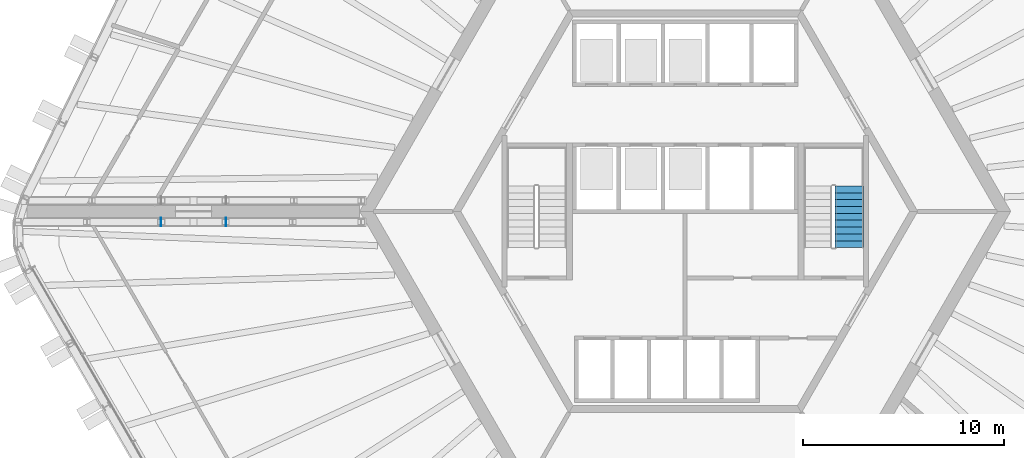
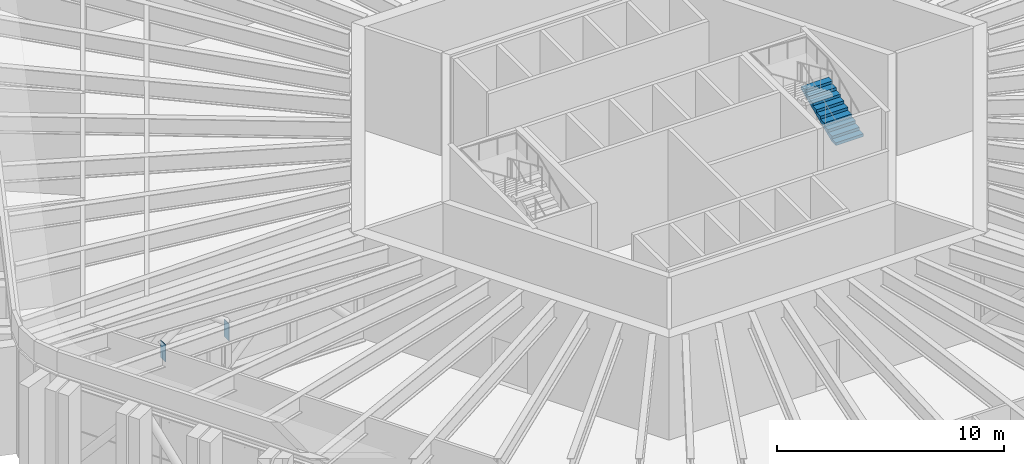
# One storey, part 17 of 27: 2 discrete accessories, 1 stair flight, 1 element without a shape of its own.
"""IFC4 building model written with IfcOpenShell, lengths in metres."""

from ifc_helpers import new_model, si_unit, direction, frame, origin, origin_2d, place, context, subcontext, project, spatial, polyline, rectangle, outline, extrude, material, type_object, element, aggregate, save


model = new_model("IFC4")

# Units and contexts
model_context = context("Model", 3, precision=1e-05, world=origin(), true_north=direction((0.0, 1.0)))
body_context = subcontext(model_context, "Body", "Model", "MODEL_VIEW")
ifc_project = project(units=[si_unit("LENGTHUNIT", "METRE"), si_unit("AREAUNIT", "SQUARE_METRE"), si_unit("VOLUMEUNIT", "CUBIC_METRE"), si_unit("PLANEANGLEUNIT", "RADIAN"), si_unit("MASSUNIT", "GRAM", prefix="KILO")], contexts=[model_context])

# Site, building, storey
site_placement = place(None, origin())
site = spatial("IfcSite", under=ifc_project, at=site_placement, CompositionType="ELEMENT")
building_placement = place(site_placement, origin())
building = spatial("IfcBuilding", under=site, at=building_placement, Name="Tarnside Tower", CompositionType="ELEMENT")
storey_placement = place(building_placement, frame((0.0, 0.0, 146.699951171875)))
storey = spatial("IfcBuildingStorey", under=building, at=storey_placement, Name="L34", CompositionType="ELEMENT", Elevation=146.699951171875)

# Stair, stair flight
ifc_material_1 = material(Name="Concrete C40/50", Category="concrete")
stair_type = type_object("IfcStairType", Name="Exit stair 1400 clear", PredefinedType="HALF_TURN_STAIR", material=ifc_material_1)
stair_placement = place(storey_placement, origin())
stair = element("IfcStair", 1, at=stair_placement, inside=storey, type_object=stair_type, Name="L34 Exit stair 1", PredefinedType="HALF_TURN_STAIR")
stair_flight_type = type_object("IfcStairFlightType", Name="Exit stair flight 1400", PredefinedType="STRAIGHT", material=ifc_material_1)
stair_flight_placement = place(storey_placement, frame((8.14990234375, -1.800048828125, 3.0), z_axis=(0.0, 0.0, 1.0), x_axis=(0.0, 1.0, 0.0)))
stair_flight = element("IfcStairFlight", 2, at=stair_flight_placement, type_object=stair_flight_type, Name="ST1 flight 3", NumberOfRisers=10, NumberOfTreads=9, PredefinedType="STRAIGHT", RiserHeight=0.15, TreadLength=0.34, context=body_context, shape_type="SweptSolid", body=[
    extrude(outline(polyline([(0.0, 0.0), (0.0, 0.14990234375), (0.340087890625, 0.14990234375), (0.340087890625, 0.300048828125), (0.679931640625, 0.300048828125), (0.679931640625, 0.449951171875), (1.02001953125, 0.449951171875), (1.02001953125, 0.60009765625), (1.360107421875, 0.60009765625), (1.360107421875, 0.75), (1.699951171875, 0.75), (1.699951171875, 0.89990234375), (2.0400390625, 0.89990234375), (2.0400390625, 1.050048828125), (2.3798828125, 1.050048828125), (2.3798828125, 1.199951171875), (2.719970703125, 1.199951171875), (2.719970703125, 1.35009765625), (3.06005859375, 1.35009765625), (3.06005859375, 1.5), (3.06005859375, 1.186279296875), (0.371337890625, 0.0), (0.0, 0.0)])), frame((0.0, 0.699951171875, 0.0), z_axis=(0.0, -1.0, 0.0), x_axis=(1.0, 0.0, 0.0)), (0.0, 0.0, 1.0), 1.39990234375),
])
aggregate(stair, [stair_flight])

# Discrete accessories
ifc_material_2 = material(Name="Steel S355", Category="steel")
discrete_accessory_type = type_object("IfcDiscreteAccessoryType", Name="Gusset plate L34 outrigger end 420", PredefinedType="USERDEFINED", material=ifc_material_2)
for number, where, z_axis, x_axis, name in (
    (3, (-22.80419921875, -0.5302734375, 2.4501953125), (0.0, 0.0, 1.0), (1.0, 0.0, 0.0), "Gusset plate 35 L34"),
    (4, (-26.036376953125, -0.5302734375, 2.4501953125), (0.0, 0.0, 1.0), (-1.0, 0.0, 0.0), "Gusset plate 36 L34"),
):
    element("IfcDiscreteAccessory", number, at=place(storey_placement, frame(where, z_axis=z_axis, x_axis=x_axis)), inside=storey, type_object=discrete_accessory_type, Name=name, ObjectType="Gusset plate", PredefinedType="USERDEFINED", context=body_context, shape_type="SweptSolid", body=[
        extrude(rectangle(XDim=0.030029296875, YDim=0.42041015625, at=origin_2d()), origin(), (0.0, 0.0, 1.0), 0.9208984375),
    ])

save(model, "model.ifc")
